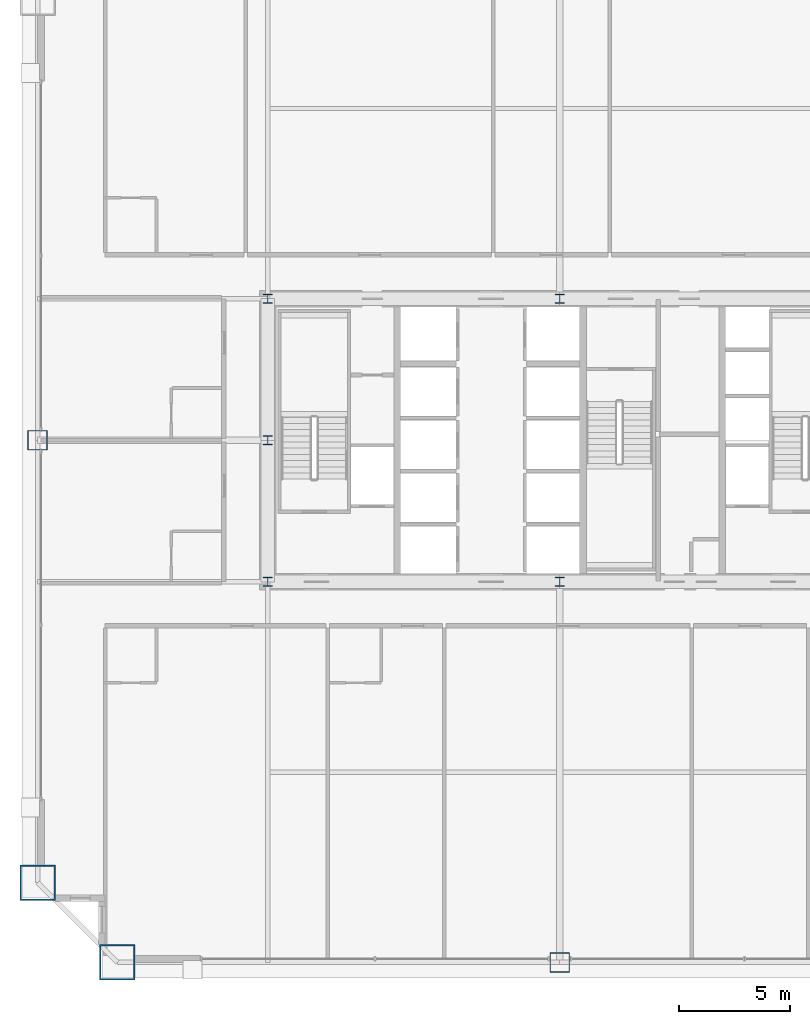
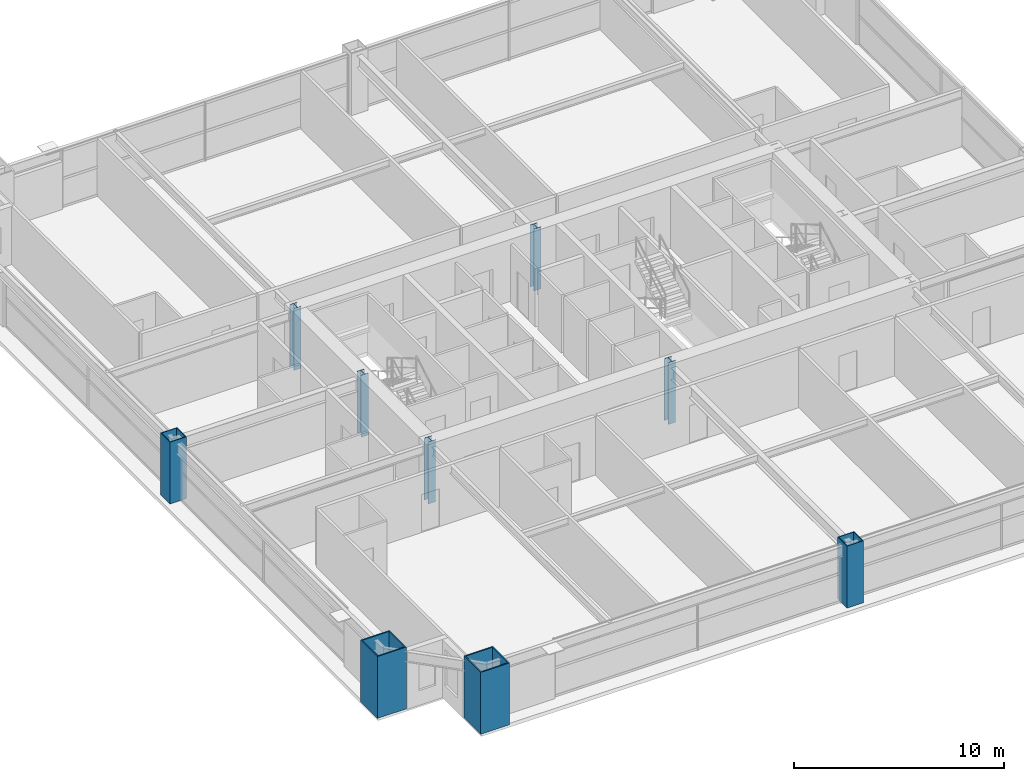
# One storey, part 1 of 39: 9 columns.
"""IFC4 building model written with IfcOpenShell, lengths in metres."""

from ifc_helpers import new_model, si_unit, direction, frame, origin, origin_2d, place, context, subcontext, project, spatial, hollow_rectangle, i_section, extrude, source, transform, mapped, material, material_profile, profile_set, type_object, element, save


model = new_model("IFC4")

# Units and contexts
model_context = context("Model", 3, precision=1e-05, world=origin(), true_north=direction((0.0, 1.0)))
body_context = subcontext(model_context, "Body", "Model", "MODEL_VIEW")
ifc_project = project(units=[si_unit("LENGTHUNIT", "METRE"), si_unit("AREAUNIT", "SQUARE_METRE"), si_unit("VOLUMEUNIT", "CUBIC_METRE"), si_unit("PLANEANGLEUNIT", "RADIAN"), si_unit("MASSUNIT", "GRAM", prefix="KILO"), si_unit("THERMODYNAMICTEMPERATUREUNIT", "KELVIN"), si_unit("POWERUNIT", "WATT")], contexts=[model_context])

# Site, building, storey
site_placement = place(None, origin())
site = spatial("IfcSite", under=ifc_project, at=site_placement, CompositionType="ELEMENT")
building_placement = place(site_placement, origin())
building = spatial("IfcBuilding", under=site, at=building_placement, Name="Yuzanri Waterfront Tower", CompositionType="ELEMENT")
storey_placement = place(building_placement, frame((0.0, 0.0, 134.39990234375)))
storey = spatial("IfcBuildingStorey", under=building, at=storey_placement, Name="L35", CompositionType="ELEMENT", Elevation=134.39990234375)

# Columns
ifc_material_1 = material(Name="Steel Q390GJC", Category="steel")
ifc_material_profile_1 = material_profile(ifc_material_1, hollow_rectangle(XDim=0.89990234375, YDim=0.89990234375, WallThickness=0.0419921875, at=origin_2d()), Name="RHS 900x900x42")
ifc_profile_set_1 = profile_set([ifc_material_profile_1], Name="Steel Q390GJC")
column_type_1 = type_object("IfcColumnType", Name="Frame Column Q390GJC RHS 900x900x42", PredefinedType="COLUMN", material=ifc_profile_set_1)
shared_shape_1 = source(origin(), body_context, "Body", "SweptSolid", [
    extrude(hollow_rectangle(XDim=0.89990234375, YDim=0.89990234375, WallThickness=0.0419921875, at=origin_2d()), origin(), (0.0, 0.0, 1.0), 3.60009765625),
])
for number, where, z_axis, x_axis, name in (
    (1, (37.0, 2.199951171875, 0.0), (0.0, 0.0, 1.0), (1.0, 0.0, 0.0), "L35 Perimeter Frame Column S2"),
    (2, (13.39990234375, 25.800048828125, 0.0), (0.0, 0.0, 1.0), (1.0, 0.0, 0.0), "L35 Perimeter Frame Column W2"),
):
    element("IfcColumn", number, at=place(storey_placement, frame(where, z_axis=z_axis, x_axis=x_axis)), inside=storey, type_object=column_type_1, Name=name, PredefinedType="COLUMN", context=body_context, shape_type="MappedRepresentation", body=[
        mapped(shared_shape_1, transform((0.0, 0.0, 0.0), scale=1.0)),
    ])
ifc_material_2 = material(Name="Steel Q420GJC", Category="steel")
ifc_material_profile_2 = material_profile(ifc_material_2, hollow_rectangle(XDim=1.60009765625, YDim=1.60009765625, WallThickness=0.070068359375, at=origin_2d()), Name="RHS 1600x1600x70")
ifc_profile_set_2 = profile_set([ifc_material_profile_2], Name="Steel Q420GJC")
column_type_2 = type_object("IfcColumnType", Name="Mega Column Q420GJC RHS 1600x1600x70", PredefinedType="COLUMN", material=ifc_profile_set_2)
shared_shape_2 = source(origin(), body_context, "Body", "SweptSolid", [
    extrude(hollow_rectangle(XDim=1.60009765625, YDim=1.60009765625, WallThickness=0.070068359375, at=origin_2d()), origin(), (0.0, 0.0, 1.0), 3.60009765625),
])
for number, where, z_axis, x_axis, name in (
    (3, (17.0, 2.199951171875, 0.0), (0.0, 0.0, 1.0), (1.0, 0.0, 0.0), "L35 Perimeter Mega Column S1"),
    (4, (13.39990234375, 5.800048828125, 0.0), (0.0, 0.0, 1.0), (1.0, 0.0, 0.0), "L35 Perimeter Mega Column W1"),
):
    element("IfcColumn", number, at=place(storey_placement, frame(where, z_axis=z_axis, x_axis=x_axis)), inside=storey, type_object=column_type_2, Name=name, PredefinedType="COLUMN", context=body_context, shape_type="MappedRepresentation", body=[
        mapped(shared_shape_2, transform((0.0, 0.0, 0.0), scale=1.0)),
    ])
ifc_material_3 = material(Name="Steel Q355B", Category="steel")
ifc_material_profile_3 = material_profile(ifc_material_3, i_section(OverallWidth=0.39990234375, OverallDepth=0.39990234375, WebThickness=0.012939453125, FlangeThickness=0.02099609375, at=origin_2d()), Name="HW 400x400x13x21")
ifc_profile_set_3 = profile_set([ifc_material_profile_3], Name="Steel Q355B")
column_type_3 = type_object("IfcColumnType", Name="Core Post Q355B HW 400x400x13x21", PredefinedType="COLUMN", material=ifc_profile_set_3)
shared_shape_3 = source(origin(), body_context, "Body", "SweptSolid", [
    extrude(i_section(OverallWidth=0.39990234375, OverallDepth=0.39990234375, WebThickness=0.012939453125, FlangeThickness=0.02099609375, at=origin_2d()), origin(), (0.0, 0.0, 1.0), 3.60009765625),
])
for number, where, z_axis, x_axis, name in (
    (5, (23.800048828125, 19.39990234375, 0.0), (0.0, 0.0, 1.0), (1.0, 0.0, 0.0), "L35 Core Boundary Column CP1"),
    (6, (37.0, 19.39990234375, 0.0), (0.0, 0.0, 1.0), (1.0, 0.0, 0.0), "L35 Core Boundary Column CP2"),
    (7, (23.800048828125, 25.800048828125, 0.0), (0.0, 0.0, 1.0), (1.0, 0.0, 0.0), "L35 Core Boundary Column CP4"),
    (8, (23.800048828125, 32.199951171875, 0.0), (0.0, 0.0, 1.0), (1.0, 0.0, 0.0), "L35 Core Boundary Column CP6"),
    (9, (37.0, 32.199951171875, 0.0), (0.0, 0.0, 1.0), (1.0, 0.0, 0.0), "L35 Core Boundary Column CP7"),
):
    element("IfcColumn", number, at=place(storey_placement, frame(where, z_axis=z_axis, x_axis=x_axis)), inside=storey, type_object=column_type_3, Name=name, PredefinedType="COLUMN", context=body_context, shape_type="MappedRepresentation", body=[
        mapped(shared_shape_3, transform((0.0, 0.0, 0.0), scale=1.0)),
    ])

save(model, "model.ifc")
